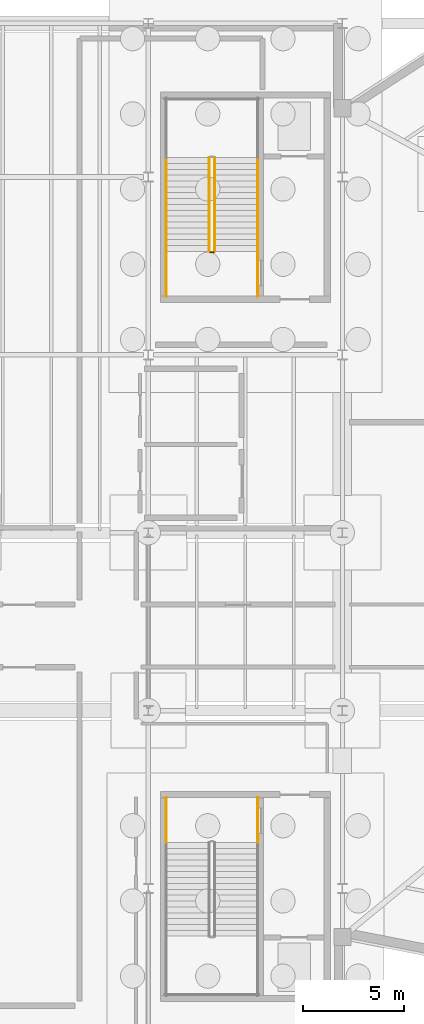
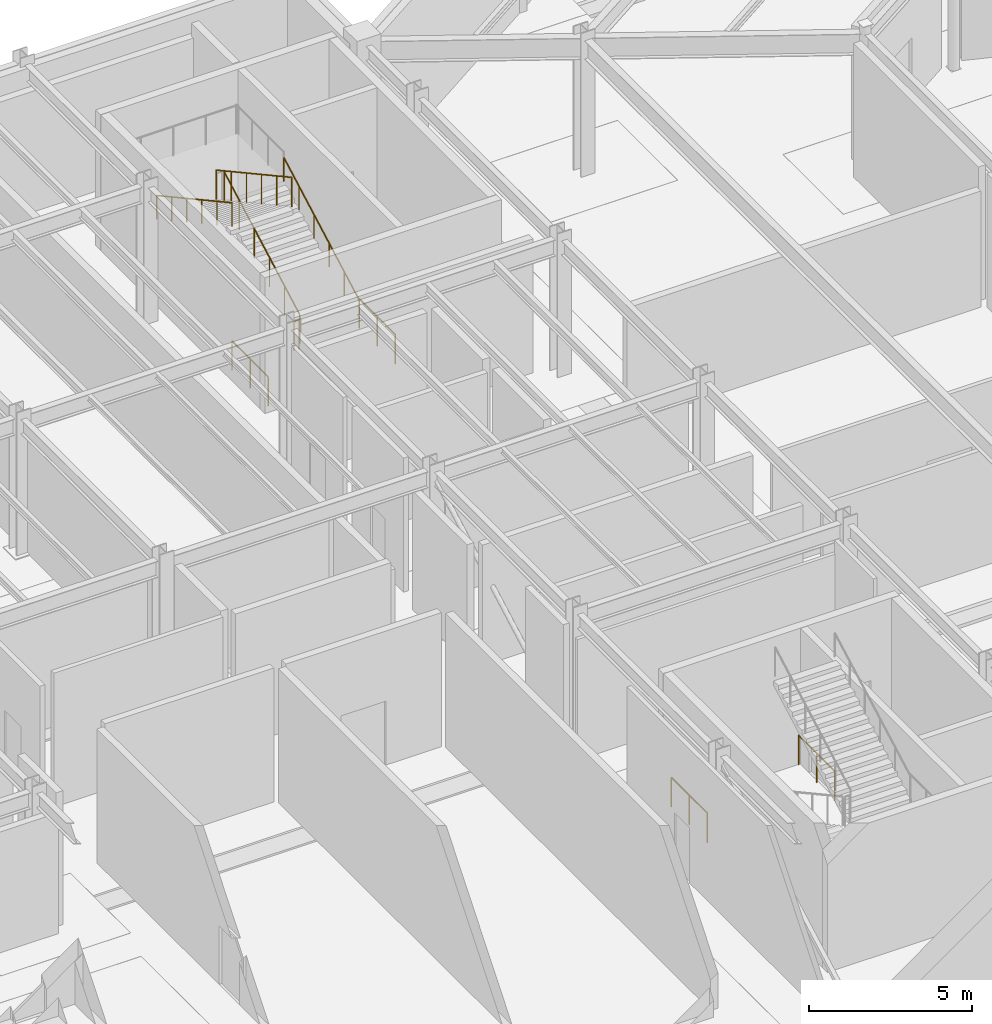
# One storey, part 45 of 48: 9 railings.
"""IFC4 building model written with IfcOpenShell, lengths in metres."""

from ifc_helpers import new_model, si_unit, direction, frame, origin, origin_2d, place, context, subcontext, project, spatial, circle, extrude, material, layer, layer_set, type_object, element, save


model = new_model("IFC4")

# Units and contexts
model_context = context("Model", 3, precision=1e-05, world=origin(), true_north=direction((0.0, 1.0)))
body_context = subcontext(model_context, "Body", "Model", "MODEL_VIEW")
ifc_project = project(units=[si_unit("LENGTHUNIT", "METRE"), si_unit("AREAUNIT", "SQUARE_METRE"), si_unit("VOLUMEUNIT", "CUBIC_METRE"), si_unit("PLANEANGLEUNIT", "RADIAN"), si_unit("MASSUNIT", "GRAM", prefix="KILO")], contexts=[model_context])

# Site, building, storey
site_placement = place(None, origin())
site = spatial("IfcSite", under=ifc_project, at=site_placement, CompositionType="ELEMENT")
building_placement = place(site_placement, origin())
building = spatial("IfcBuilding", under=site, at=building_placement, Name="Sarnbrook Museum", CompositionType="ELEMENT")
storey_placement = place(building_placement, frame((0.0, 0.0, -5.39990234375)))
storey = spatial("IfcBuildingStorey", under=building, at=storey_placement, Name="B1", CompositionType="ELEMENT", Elevation=-5.39990234375)

# Railings
ifc_material = material(Name="Brushed Stainless Steel Grade 316", Category="steel")
ifc_layer_1 = layer(ifc_material, 0.050048828125)
ifc_layer_set_1 = layer_set([ifc_layer_1], Name="Brushed Stainless Steel Grade 316")
railing_type_1 = type_object("IfcRailingType", Name="Guard_Int1120", PredefinedType="BALUSTRADE", material=ifc_layer_set_1)
for number, where, name in (
    (1, (110.489990234375, 70.10009765625, 0.0), "B1 ST1 stair guard 8"),
    (2, (115.010009765625, 70.10009765625, 0.0), "B1 ST1 stair guard 9"),
):
    element("IfcRailing", number, at=place(storey_placement, frame(where)), inside=storey, type_object=railing_type_1, Name=name, PredefinedType="BALUSTRADE", context=body_context, shape_type="SweptSolid", body=[
        extrude(circle(Radius=0.02392578125, at=origin_2d()), frame((0.0, 0.0, 1.09619140625), z_axis=(0.0, -1.0, 0.0), x_axis=(1.0, 0.0, 0.0)), (0.0, 0.0, 1.0), 2.22021484375),
        extrude(circle(Radius=0.02099609375, at=origin_2d()), origin(), (0.0, 0.0, 1.0), 1.072021484375),
        extrude(circle(Radius=0.02099609375, at=origin_2d()), frame((0.0, -1.110107421875, 0.0)), (0.0, 0.0, 1.0), 1.072021484375),
        extrude(circle(Radius=0.02099609375, at=origin_2d()), frame((0.0, -2.22021484375, 0.0)), (0.0, 0.0, 1.0), 1.072021484375),
    ])
railing_1_placement = place(storey_placement, frame((112.889892578125, 97.1201171875, 0.15869140625)))
element("IfcRailing", 3, at=railing_1_placement, inside=storey, type_object=railing_type_1, Name="B1 ST2 stair guard 1", PredefinedType="BALUSTRADE", context=body_context, shape_type="SweptSolid", body=[
    extrude(circle(Radius=0.02392578125, at=origin_2d()), frame((0.0, 0.0, 1.09619140625), z_axis=(0.0, 0.877067103421, 0.480367875796), x_axis=(-1.0, 0.0, 0.0)), (0.0, 0.0, 1.0), 5.290283203125),
    extrude(circle(Radius=0.02099609375, at=origin_2d()), origin(), (0.0, 0.0, 1.0), 1.072021484375),
    extrude(circle(Radius=0.02099609375, at=origin_2d()), frame((0.0, 0.927978515625, 0.50830078125)), (0.0, 0.0, 1.0), 1.072021484375),
    extrude(circle(Radius=0.02099609375, at=origin_2d()), frame((0.0, 1.85595703125, 1.0166015625)), (0.0, 0.0, 1.0), 1.072021484375),
    extrude(circle(Radius=0.02099609375, at=origin_2d()), frame((0.0, 2.783935546875, 1.524658203125)), (0.0, 0.0, 1.0), 1.072021484375),
    extrude(circle(Radius=0.02099609375, at=origin_2d()), frame((0.0, 3.7119140625, 2.032958984375)), (0.0, 0.0, 1.0), 1.072021484375),
    extrude(circle(Radius=0.02099609375, at=origin_2d()), frame((0.0, 4.639892578125, 2.541259765625)), (0.0, 0.0, 1.0), 1.072021484375),
])
railing_2_placement = place(storey_placement, frame((112.610107421875, 101.760009765625, 2.858642578125)))
element("IfcRailing", 4, at=railing_2_placement, inside=storey, type_object=railing_type_1, Name="B1 ST2 stair guard 6", PredefinedType="BALUSTRADE", context=body_context, shape_type="SweptSolid", body=[
    extrude(circle(Radius=0.02392578125, at=origin_2d()), frame((0.0, 0.0, 1.09619140625), z_axis=(0.0, -0.877067103421, 0.480367875796), x_axis=(1.0, 0.0, 0.0)), (0.0, 0.0, 1.0), 5.290283203125),
    extrude(circle(Radius=0.02099609375, at=origin_2d()), origin(), (0.0, 0.0, 1.0), 1.072021484375),
    extrude(circle(Radius=0.02099609375, at=origin_2d()), frame((0.0, -0.927978515625, 0.50830078125)), (0.0, 0.0, 1.0), 1.072021484375),
    extrude(circle(Radius=0.02099609375, at=origin_2d()), frame((0.0, -1.85595703125, 1.0166015625)), (0.0, 0.0, 1.0), 1.072021484375),
    extrude(circle(Radius=0.02099609375, at=origin_2d()), frame((0.0, -2.783935546875, 1.524658203125)), (0.0, 0.0, 1.0), 1.072021484375),
    extrude(circle(Radius=0.02099609375, at=origin_2d()), frame((0.0, -3.7119140625, 2.032958984375)), (0.0, 0.0, 1.0), 1.072021484375),
    extrude(circle(Radius=0.02099609375, at=origin_2d()), frame((0.0, -4.639892578125, 2.541259765625)), (0.0, 0.0, 1.0), 1.072021484375),
])
railing_3_placement = place(storey_placement, frame((112.840087890625, 97.070068359375, 0.0)))
element("IfcRailing", 5, at=railing_3_placement, inside=storey, type_object=railing_type_1, Name="B1 ST2 stair guard 7", PredefinedType="BALUSTRADE", context=body_context, shape_type="SweptSolid", body=[
    extrude(circle(Radius=0.02392578125, at=origin_2d()), frame((0.0, 0.0, 1.09619140625), z_axis=(-1.0, 0.0, 0.0), x_axis=(0.0, -1.0, 0.0)), (0.0, 0.0, 1.0), 0.18017578125),
    extrude(circle(Radius=0.02099609375, at=origin_2d()), origin(), (0.0, 0.0, 1.0), 1.072021484375),
    extrude(circle(Radius=0.02099609375, at=origin_2d()), frame((-0.18017578125, 0.0, 0.0)), (0.0, 0.0, 1.0), 1.072021484375),
])
for number, where, name in (
    (6, (115.010009765625, 94.89990234375, 0.0), "B1 ST2 stair guard 8"),
    (7, (110.489990234375, 94.89990234375, 0.0), "B1 ST2 stair guard 9"),
):
    element("IfcRailing", number, at=place(storey_placement, frame(where)), inside=storey, type_object=railing_type_1, Name=name, PredefinedType="BALUSTRADE", context=body_context, shape_type="SweptSolid", body=[
        extrude(circle(Radius=0.02392578125, at=origin_2d()), frame((0.0, 0.0, 1.09619140625), z_axis=(0.0, 1.0, 0.0), x_axis=(-1.0, 0.0, 0.0)), (0.0, 0.0, 1.0), 2.22021484375),
        extrude(circle(Radius=0.02099609375, at=origin_2d()), origin(), (0.0, 0.0, 1.0), 1.072021484375),
        extrude(circle(Radius=0.02099609375, at=origin_2d()), frame((0.0, 1.110107421875, 0.0)), (0.0, 0.0, 1.0), 1.072021484375),
        extrude(circle(Radius=0.02099609375, at=origin_2d()), frame((0.0, 2.22021484375, 0.0)), (0.0, 0.0, 1.0), 1.072021484375),
    ])
ifc_layer_2 = layer(ifc_material, 0.048095703125)
ifc_layer_set_2 = layer_set([ifc_layer_2], Name="Brushed Stainless Steel Grade 316")
railing_type_2 = type_object("IfcRailingType", Name="Handrail_920", PredefinedType="HANDRAIL", material=ifc_layer_set_2)
railing_4_placement = place(storey_placement, frame((115.010009765625, 97.1201171875, 0.15869140625)))
element("IfcRailing", 8, at=railing_4_placement, inside=storey, type_object=railing_type_2, Name="B1 ST2 stair handrail 1", PredefinedType="HANDRAIL", context=body_context, shape_type="SweptSolid", body=[
    extrude(circle(Radius=0.02392578125, at=origin_2d()), frame((0.0, 0.0, 0.8857421875), z_axis=(0.0, 0.877067103421, 0.480367875796), x_axis=(-1.0, 0.0, 0.0)), (0.0, 0.0, 1.0), 5.290283203125),
    extrude(circle(Radius=0.02099609375, at=origin_2d()), origin(), (0.0, 0.0, 1.0), 0.86181640625),
    extrude(circle(Radius=0.02099609375, at=origin_2d()), frame((0.0, 0.927978515625, 0.50830078125)), (0.0, 0.0, 1.0), 0.86181640625),
    extrude(circle(Radius=0.02099609375, at=origin_2d()), frame((0.0, 1.85595703125, 1.0166015625)), (0.0, 0.0, 1.0), 0.86181640625),
    extrude(circle(Radius=0.02099609375, at=origin_2d()), frame((0.0, 2.783935546875, 1.524658203125)), (0.0, 0.0, 1.0), 0.86181640625),
    extrude(circle(Radius=0.02099609375, at=origin_2d()), frame((0.0, 3.7119140625, 2.032958984375)), (0.0, 0.0, 1.0), 0.86181640625),
    extrude(circle(Radius=0.02099609375, at=origin_2d()), frame((0.0, 4.639892578125, 2.541259765625)), (0.0, 0.0, 1.0), 0.86181640625),
])
railing_5_placement = place(storey_placement, frame((110.489990234375, 101.760009765625, 2.858642578125)))
element("IfcRailing", 9, at=railing_5_placement, inside=storey, type_object=railing_type_2, Name="B1 ST2 stair handrail 2", PredefinedType="HANDRAIL", context=body_context, shape_type="SweptSolid", body=[
    extrude(circle(Radius=0.02392578125, at=origin_2d()), frame((0.0, 0.0, 0.8857421875), z_axis=(0.0, -0.877067103421, 0.480367875796), x_axis=(1.0, 0.0, 0.0)), (0.0, 0.0, 1.0), 5.290283203125),
    extrude(circle(Radius=0.02099609375, at=origin_2d()), origin(), (0.0, 0.0, 1.0), 0.86181640625),
    extrude(circle(Radius=0.02099609375, at=origin_2d()), frame((0.0, -0.927978515625, 0.50830078125)), (0.0, 0.0, 1.0), 0.86181640625),
    extrude(circle(Radius=0.02099609375, at=origin_2d()), frame((0.0, -1.85595703125, 1.0166015625)), (0.0, 0.0, 1.0), 0.86181640625),
    extrude(circle(Radius=0.02099609375, at=origin_2d()), frame((0.0, -2.783935546875, 1.524658203125)), (0.0, 0.0, 1.0), 0.86181640625),
    extrude(circle(Radius=0.02099609375, at=origin_2d()), frame((0.0, -3.7119140625, 2.032958984375)), (0.0, 0.0, 1.0), 0.86181640625),
    extrude(circle(Radius=0.02099609375, at=origin_2d()), frame((0.0, -4.639892578125, 2.541259765625)), (0.0, 0.0, 1.0), 0.86181640625),
])

save(model, "model.ifc")
